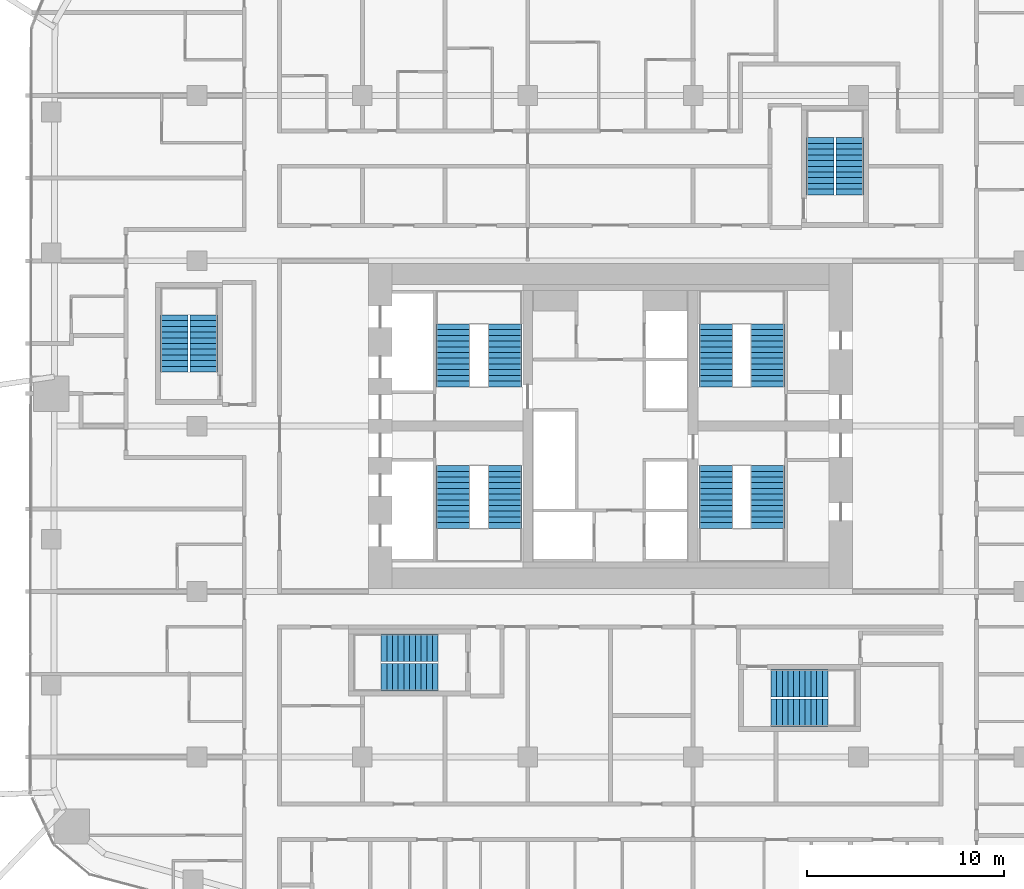
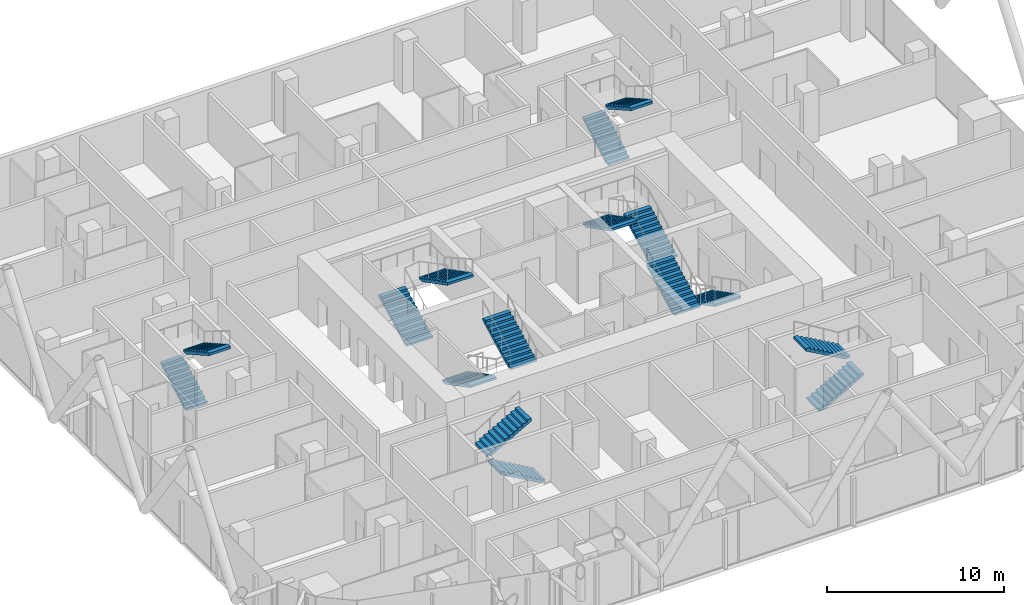
# One storey, part 36 of 38: 16 stair flights, 8 elements without a shape of their own.
"""IFC4 building model written with IfcOpenShell, lengths in metres."""

from ifc_helpers import new_model, si_unit, direction, frame, origin, place, context, subcontext, project, spatial, polyline, outline, extrude, material, type_object, element, aggregate, save


model = new_model("IFC4")

# Units and contexts
model_context = context("Model", 3, precision=1e-05, world=origin(), true_north=direction((0.0, 1.0)))
body_context = subcontext(model_context, "Body", "Model", "MODEL_VIEW")
ifc_project = project(units=[si_unit("LENGTHUNIT", "METRE"), si_unit("AREAUNIT", "SQUARE_METRE"), si_unit("VOLUMEUNIT", "CUBIC_METRE"), si_unit("PLANEANGLEUNIT", "RADIAN"), si_unit("MASSUNIT", "GRAM", prefix="KILO")], contexts=[model_context])

# Site, building, storey
site_placement = place(None, origin())
site = spatial("IfcSite", under=ifc_project, at=site_placement, CompositionType="ELEMENT")
building_placement = place(site_placement, origin())
building = spatial("IfcBuilding", under=site, at=building_placement, Name="Marenta Gate Hotel Tower", CompositionType="ELEMENT")
storey_placement = place(building_placement, frame((0.0, 0.0, 54.5)))
storey = spatial("IfcBuildingStorey", under=building, at=storey_placement, Name="L11", CompositionType="ELEMENT", Elevation=54.5)

# Stair, stair flights
ifc_material_1 = material(Name="Concrete C40", Category="concrete")
stair_type_1 = type_object("IfcStairType", Name="Core exit stair 1700 wide", PredefinedType="HALF_TURN_STAIR", material=ifc_material_1)
stair_1_placement = place(storey_placement, origin())
stair_1 = element("IfcStair", 1, at=stair_1_placement, inside=storey, type_object=stair_type_1, Name="Exit stair 1", PredefinedType="HALF_TURN_STAIR")
ifc_material_2 = material(Name="Concrete C40", Category="concrete")
stair_flight_type_1 = type_object("IfcStairFlightType", Name="Core stair flight 1700 riser 150.0 going 290", PredefinedType="STRAIGHT", material=ifc_material_2)
stair_flight_1_placement = place(storey_placement, frame((-8.0, 6.39990234375, 0.0), z_axis=(0.0, 0.0, 1.0), x_axis=(0.0, -1.0, 0.0)))
stair_flight_1 = element("IfcStairFlight", 2, at=stair_flight_1_placement, type_object=stair_flight_type_1, Name="ST1 flight 1", NumberOfRisers=12, NumberOfTreads=11, PredefinedType="STRAIGHT", RiserHeight=0.15, TreadLength=0.29, context=body_context, shape_type="SweptSolid", body=[
    extrude(outline(polyline([(0.0, 0.0), (0.0, 0.14990234375), (0.2900390625, 0.14990234375), (0.2900390625, 0.300048828125), (0.580078125, 0.300048828125), (0.580078125, 0.449951171875), (0.8701171875, 0.449951171875), (0.8701171875, 0.60009765625), (1.159912109375, 0.60009765625), (1.159912109375, 0.75), (1.449951171875, 0.75), (1.449951171875, 0.89990234375), (1.739990234375, 0.89990234375), (1.739990234375, 1.050048828125), (2.030029296875, 1.050048828125), (2.030029296875, 1.199951171875), (2.320068359375, 1.199951171875), (2.320068359375, 1.35009765625), (2.610107421875, 1.35009765625), (2.610107421875, 1.5), (2.89990234375, 1.5), (2.89990234375, 1.64990234375), (3.18994140625, 1.64990234375), (3.18994140625, 1.800048828125), (3.18994140625, 1.481201171875), (0.326171875, 0.0), (0.0, 0.0)])), frame((0.0, 0.85009765625, 0.0), z_axis=(0.0, -1.0, 0.0), x_axis=(1.0, 0.0, 0.0)), (0.0, 0.0, 1.0), 1.699951171875),
])
stair_flight_2_placement = place(storey_placement, frame((-5.35009765625, 3.2099609375, 1.800048828125), z_axis=(0.0, 0.0, 1.0), x_axis=(0.0, 1.0, 0.0)))
stair_flight_2 = element("IfcStairFlight", 3, at=stair_flight_2_placement, type_object=stair_flight_type_1, Name="ST1 flight 2", NumberOfRisers=12, NumberOfTreads=11, PredefinedType="STRAIGHT", RiserHeight=0.15, TreadLength=0.29, context=body_context, shape_type="SweptSolid", body=[
    extrude(outline(polyline([(0.0, 0.0), (0.0, 0.14990234375), (0.2900390625, 0.14990234375), (0.2900390625, 0.300048828125), (0.580078125, 0.300048828125), (0.580078125, 0.449951171875), (0.8701171875, 0.449951171875), (0.8701171875, 0.60009765625), (1.159912109375, 0.60009765625), (1.159912109375, 0.75), (1.449951171875, 0.75), (1.449951171875, 0.89990234375), (1.739990234375, 0.89990234375), (1.739990234375, 1.050048828125), (2.030029296875, 1.050048828125), (2.030029296875, 1.199951171875), (2.320068359375, 1.199951171875), (2.320068359375, 1.35009765625), (2.610107421875, 1.35009765625), (2.610107421875, 1.5), (2.89990234375, 1.5), (2.89990234375, 1.64990234375), (3.18994140625, 1.64990234375), (3.18994140625, 1.800048828125), (3.18994140625, 1.481201171875), (0.326171875, 0.0), (0.0, 0.0)])), frame((0.0, 0.85009765625, 0.0), z_axis=(0.0, -1.0, 0.0), x_axis=(1.0, 0.0, 0.0)), (0.0, 0.0, 1.0), 1.699951171875),
])
aggregate(stair_1, [stair_flight_1, stair_flight_2])

stair_2_placement = place(storey_placement, origin())
stair_2 = element("IfcStair", 4, at=stair_2_placement, inside=storey, type_object=stair_type_1, Name="Exit stair 2", PredefinedType="HALF_TURN_STAIR")
stair_flight_3_placement = place(storey_placement, frame((-8.0, 10.39990234375, 0.0), z_axis=(0.0, 0.0, 1.0), x_axis=(0.0, 1.0, 0.0)))
stair_flight_3 = element("IfcStairFlight", 5, at=stair_flight_3_placement, type_object=stair_flight_type_1, Name="ST2 flight 1", NumberOfRisers=12, NumberOfTreads=11, PredefinedType="STRAIGHT", RiserHeight=0.15, TreadLength=0.29, context=body_context, shape_type="SweptSolid", body=[
    extrude(outline(polyline([(0.0, 0.0), (0.0, 0.14990234375), (0.2900390625, 0.14990234375), (0.2900390625, 0.300048828125), (0.580078125, 0.300048828125), (0.580078125, 0.449951171875), (0.8701171875, 0.449951171875), (0.8701171875, 0.60009765625), (1.159912109375, 0.60009765625), (1.159912109375, 0.75), (1.449951171875, 0.75), (1.449951171875, 0.89990234375), (1.739990234375, 0.89990234375), (1.739990234375, 1.050048828125), (2.030029296875, 1.050048828125), (2.030029296875, 1.199951171875), (2.320068359375, 1.199951171875), (2.320068359375, 1.35009765625), (2.610107421875, 1.35009765625), (2.610107421875, 1.5), (2.89990234375, 1.5), (2.89990234375, 1.64990234375), (3.18994140625, 1.64990234375), (3.18994140625, 1.800048828125), (3.18994140625, 1.481201171875), (0.326171875, 0.0), (0.0, 0.0)])), frame((0.0, 0.85009765625, 0.0), z_axis=(0.0, -1.0, 0.0), x_axis=(1.0, 0.0, 0.0)), (0.0, 0.0, 1.0), 1.699951171875),
])
stair_flight_4_placement = place(storey_placement, frame((-5.35009765625, 13.590087890625, 1.800048828125), z_axis=(0.0, 0.0, 1.0), x_axis=(0.0, -1.0, 0.0)))
stair_flight_4 = element("IfcStairFlight", 6, at=stair_flight_4_placement, type_object=stair_flight_type_1, Name="ST2 flight 2", NumberOfRisers=12, NumberOfTreads=11, PredefinedType="STRAIGHT", RiserHeight=0.15, TreadLength=0.29, context=body_context, shape_type="SweptSolid", body=[
    extrude(outline(polyline([(0.0, 0.0), (0.0, 0.14990234375), (0.2900390625, 0.14990234375), (0.2900390625, 0.300048828125), (0.580078125, 0.300048828125), (0.580078125, 0.449951171875), (0.8701171875, 0.449951171875), (0.8701171875, 0.60009765625), (1.159912109375, 0.60009765625), (1.159912109375, 0.75), (1.449951171875, 0.75), (1.449951171875, 0.89990234375), (1.739990234375, 0.89990234375), (1.739990234375, 1.050048828125), (2.030029296875, 1.050048828125), (2.030029296875, 1.199951171875), (2.320068359375, 1.199951171875), (2.320068359375, 1.35009765625), (2.610107421875, 1.35009765625), (2.610107421875, 1.5), (2.89990234375, 1.5), (2.89990234375, 1.64990234375), (3.18994140625, 1.64990234375), (3.18994140625, 1.800048828125), (3.18994140625, 1.481201171875), (0.326171875, 0.0), (0.0, 0.0)])), frame((0.0, 0.85009765625, 0.0), z_axis=(0.0, -1.0, 0.0), x_axis=(1.0, 0.0, 0.0)), (0.0, 0.0, 1.0), 1.699951171875),
])
aggregate(stair_2, [stair_flight_3, stair_flight_4])

stair_3_placement = place(storey_placement, origin())
stair_3 = element("IfcStair", 7, at=stair_3_placement, inside=storey, type_object=stair_type_1, Name="Exit stair 3", PredefinedType="HALF_TURN_STAIR")
stair_flight_5_placement = place(storey_placement, frame((8.0, 6.39990234375, 0.0), z_axis=(0.0, 0.0, 1.0), x_axis=(0.0, -1.0, 0.0)))
stair_flight_5 = element("IfcStairFlight", 8, at=stair_flight_5_placement, type_object=stair_flight_type_1, Name="ST3 flight 1", NumberOfRisers=12, NumberOfTreads=11, PredefinedType="STRAIGHT", RiserHeight=0.15, TreadLength=0.29, context=body_context, shape_type="SweptSolid", body=[
    extrude(outline(polyline([(0.0, 0.0), (0.0, 0.14990234375), (0.2900390625, 0.14990234375), (0.2900390625, 0.300048828125), (0.580078125, 0.300048828125), (0.580078125, 0.449951171875), (0.8701171875, 0.449951171875), (0.8701171875, 0.60009765625), (1.159912109375, 0.60009765625), (1.159912109375, 0.75), (1.449951171875, 0.75), (1.449951171875, 0.89990234375), (1.739990234375, 0.89990234375), (1.739990234375, 1.050048828125), (2.030029296875, 1.050048828125), (2.030029296875, 1.199951171875), (2.320068359375, 1.199951171875), (2.320068359375, 1.35009765625), (2.610107421875, 1.35009765625), (2.610107421875, 1.5), (2.89990234375, 1.5), (2.89990234375, 1.64990234375), (3.18994140625, 1.64990234375), (3.18994140625, 1.800048828125), (3.18994140625, 1.481201171875), (0.326171875, 0.0), (0.0, 0.0)])), frame((0.0, 0.85009765625, 0.0), z_axis=(0.0, -1.0, 0.0), x_axis=(1.0, 0.0, 0.0)), (0.0, 0.0, 1.0), 1.699951171875),
])
stair_flight_6_placement = place(storey_placement, frame((5.35009765625, 3.2099609375, 1.800048828125), z_axis=(0.0, 0.0, 1.0), x_axis=(0.0, 1.0, 0.0)))
stair_flight_6 = element("IfcStairFlight", 9, at=stair_flight_6_placement, type_object=stair_flight_type_1, Name="ST3 flight 2", NumberOfRisers=12, NumberOfTreads=11, PredefinedType="STRAIGHT", RiserHeight=0.15, TreadLength=0.29, context=body_context, shape_type="SweptSolid", body=[
    extrude(outline(polyline([(0.0, 0.0), (0.0, 0.14990234375), (0.2900390625, 0.14990234375), (0.2900390625, 0.300048828125), (0.580078125, 0.300048828125), (0.580078125, 0.449951171875), (0.8701171875, 0.449951171875), (0.8701171875, 0.60009765625), (1.159912109375, 0.60009765625), (1.159912109375, 0.75), (1.449951171875, 0.75), (1.449951171875, 0.89990234375), (1.739990234375, 0.89990234375), (1.739990234375, 1.050048828125), (2.030029296875, 1.050048828125), (2.030029296875, 1.199951171875), (2.320068359375, 1.199951171875), (2.320068359375, 1.35009765625), (2.610107421875, 1.35009765625), (2.610107421875, 1.5), (2.89990234375, 1.5), (2.89990234375, 1.64990234375), (3.18994140625, 1.64990234375), (3.18994140625, 1.800048828125), (3.18994140625, 1.481201171875), (0.326171875, 0.0), (0.0, 0.0)])), frame((0.0, 0.85009765625, 0.0), z_axis=(0.0, -1.0, 0.0), x_axis=(1.0, 0.0, 0.0)), (0.0, 0.0, 1.0), 1.699951171875),
])
aggregate(stair_3, [stair_flight_5, stair_flight_6])

stair_4_placement = place(storey_placement, origin())
stair_4 = element("IfcStair", 10, at=stair_4_placement, inside=storey, type_object=stair_type_1, Name="Exit stair 4", PredefinedType="HALF_TURN_STAIR")
stair_flight_7_placement = place(storey_placement, frame((8.0, 10.39990234375, 0.0), z_axis=(0.0, 0.0, 1.0), x_axis=(0.0, 1.0, 0.0)))
stair_flight_7 = element("IfcStairFlight", 11, at=stair_flight_7_placement, type_object=stair_flight_type_1, Name="ST4 flight 1", NumberOfRisers=12, NumberOfTreads=11, PredefinedType="STRAIGHT", RiserHeight=0.15, TreadLength=0.29, context=body_context, shape_type="SweptSolid", body=[
    extrude(outline(polyline([(0.0, 0.0), (0.0, 0.14990234375), (0.2900390625, 0.14990234375), (0.2900390625, 0.300048828125), (0.580078125, 0.300048828125), (0.580078125, 0.449951171875), (0.8701171875, 0.449951171875), (0.8701171875, 0.60009765625), (1.159912109375, 0.60009765625), (1.159912109375, 0.75), (1.449951171875, 0.75), (1.449951171875, 0.89990234375), (1.739990234375, 0.89990234375), (1.739990234375, 1.050048828125), (2.030029296875, 1.050048828125), (2.030029296875, 1.199951171875), (2.320068359375, 1.199951171875), (2.320068359375, 1.35009765625), (2.610107421875, 1.35009765625), (2.610107421875, 1.5), (2.89990234375, 1.5), (2.89990234375, 1.64990234375), (3.18994140625, 1.64990234375), (3.18994140625, 1.800048828125), (3.18994140625, 1.481201171875), (0.326171875, 0.0), (0.0, 0.0)])), frame((0.0, 0.85009765625, 0.0), z_axis=(0.0, -1.0, 0.0), x_axis=(1.0, 0.0, 0.0)), (0.0, 0.0, 1.0), 1.699951171875),
])
stair_flight_8_placement = place(storey_placement, frame((5.35009765625, 13.590087890625, 1.800048828125), z_axis=(0.0, 0.0, 1.0), x_axis=(0.0, -1.0, 0.0)))
stair_flight_8 = element("IfcStairFlight", 12, at=stair_flight_8_placement, type_object=stair_flight_type_1, Name="ST4 flight 2", NumberOfRisers=12, NumberOfTreads=11, PredefinedType="STRAIGHT", RiserHeight=0.15, TreadLength=0.29, context=body_context, shape_type="SweptSolid", body=[
    extrude(outline(polyline([(0.0, 0.0), (0.0, 0.14990234375), (0.2900390625, 0.14990234375), (0.2900390625, 0.300048828125), (0.580078125, 0.300048828125), (0.580078125, 0.449951171875), (0.8701171875, 0.449951171875), (0.8701171875, 0.60009765625), (1.159912109375, 0.60009765625), (1.159912109375, 0.75), (1.449951171875, 0.75), (1.449951171875, 0.89990234375), (1.739990234375, 0.89990234375), (1.739990234375, 1.050048828125), (2.030029296875, 1.050048828125), (2.030029296875, 1.199951171875), (2.320068359375, 1.199951171875), (2.320068359375, 1.35009765625), (2.610107421875, 1.35009765625), (2.610107421875, 1.5), (2.89990234375, 1.5), (2.89990234375, 1.64990234375), (3.18994140625, 1.64990234375), (3.18994140625, 1.800048828125), (3.18994140625, 1.481201171875), (0.326171875, 0.0), (0.0, 0.0)])), frame((0.0, 0.85009765625, 0.0), z_axis=(0.0, -1.0, 0.0), x_axis=(1.0, 0.0, 0.0)), (0.0, 0.0, 1.0), 1.699951171875),
])
aggregate(stair_4, [stair_flight_7, stair_flight_8])

ifc_material_3 = material(Name="Concrete C40", Category="concrete")
stair_type_2 = type_object("IfcStairType", Name="Remote exit stair 1400 wide", PredefinedType="HALF_TURN_STAIR", material=ifc_material_3)
stair_5_placement = place(storey_placement, origin())
stair_5 = element("IfcStair", 13, at=stair_5_placement, inside=storey, type_object=stair_type_2, Name="Exit stair RS-Z1-1", PredefinedType="HALF_TURN_STAIR")
ifc_material_4 = material(Name="Concrete C40", Category="concrete")
stair_flight_type_2 = type_object("IfcStairFlightType", Name="Remote stair flight 1400 riser 163.6 going 290", PredefinedType="STRAIGHT", material=ifc_material_4)
stair_flight_9_placement = place(storey_placement, frame((8.14990234375, -6.14990234375, 0.0), z_axis=(0.0, 0.0, 1.0), x_axis=(1.0, 0.0, 0.0)))
stair_flight_9 = element("IfcStairFlight", 14, at=stair_flight_9_placement, type_object=stair_flight_type_2, Name="RS-Z1-1 flight 1", NumberOfRisers=11, NumberOfTreads=10, PredefinedType="STRAIGHT", RiserHeight=0.163636, TreadLength=0.29, context=body_context, shape_type="SweptSolid", body=[
    extrude(outline(polyline([(0.0, 0.0), (0.0, 0.16357421875), (0.2900390625, 0.16357421875), (0.2900390625, 0.327392578125), (0.580078125, 0.327392578125), (0.580078125, 0.490966796875), (0.8701171875, 0.490966796875), (0.8701171875, 0.654541015625), (1.159912109375, 0.654541015625), (1.159912109375, 0.818115234375), (1.449951171875, 0.818115234375), (1.449951171875, 0.98193359375), (1.739990234375, 0.98193359375), (1.739990234375, 1.1455078125), (2.030029296875, 1.1455078125), (2.030029296875, 1.30908203125), (2.320068359375, 1.30908203125), (2.320068359375, 1.47265625), (2.610107421875, 1.47265625), (2.610107421875, 1.636474609375), (2.89990234375, 1.636474609375), (2.89990234375, 1.800048828125), (2.89990234375, 1.46435546875), (0.304931640625, 0.0), (0.0, 0.0)])), frame((0.0, 0.699951171875, 0.0), z_axis=(0.0, -1.0, 0.0), x_axis=(1.0, 0.0, 0.0)), (0.0, 0.0, 1.0), 1.39990234375),
])
stair_flight_10_placement = place(storey_placement, frame((11.050048828125, -4.64990234375, 1.800048828125), z_axis=(0.0, 0.0, 1.0), x_axis=(-1.0, 0.0, 0.0)))
stair_flight_10 = element("IfcStairFlight", 15, at=stair_flight_10_placement, type_object=stair_flight_type_2, Name="RS-Z1-1 flight 2", NumberOfRisers=11, NumberOfTreads=10, PredefinedType="STRAIGHT", RiserHeight=0.163636, TreadLength=0.29, context=body_context, shape_type="SweptSolid", body=[
    extrude(outline(polyline([(0.0, 0.0), (0.0, 0.16357421875), (0.2900390625, 0.16357421875), (0.2900390625, 0.327392578125), (0.580078125, 0.327392578125), (0.580078125, 0.490966796875), (0.8701171875, 0.490966796875), (0.8701171875, 0.654541015625), (1.159912109375, 0.654541015625), (1.159912109375, 0.818115234375), (1.449951171875, 0.818115234375), (1.449951171875, 0.98193359375), (1.739990234375, 0.98193359375), (1.739990234375, 1.1455078125), (2.030029296875, 1.1455078125), (2.030029296875, 1.30908203125), (2.320068359375, 1.30908203125), (2.320068359375, 1.47265625), (2.610107421875, 1.47265625), (2.610107421875, 1.636474609375), (2.89990234375, 1.636474609375), (2.89990234375, 1.800048828125), (2.89990234375, 1.46435546875), (0.304931640625, 0.0), (0.0, 0.0)])), frame((0.0, 0.699951171875, 0.0), z_axis=(0.0, -1.0, 0.0), x_axis=(1.0, 0.0, 0.0)), (0.0, 0.0, 1.0), 1.39990234375),
])
aggregate(stair_5, [stair_flight_9, stair_flight_10])

stair_6_placement = place(storey_placement, origin())
stair_6 = element("IfcStair", 16, at=stair_6_placement, inside=storey, type_object=stair_type_2, Name="Exit stair RS-Z1-2", PredefinedType="HALF_TURN_STAIR")
stair_flight_11_placement = place(storey_placement, frame((-8.75, -4.35009765625, 0.0), z_axis=(0.0, 0.0, 1.0), x_axis=(-1.0, 0.0, 0.0)))
stair_flight_11 = element("IfcStairFlight", 17, at=stair_flight_11_placement, type_object=stair_flight_type_2, Name="RS-Z1-2 flight 1", NumberOfRisers=11, NumberOfTreads=10, PredefinedType="STRAIGHT", RiserHeight=0.163636, TreadLength=0.29, context=body_context, shape_type="SweptSolid", body=[
    extrude(outline(polyline([(0.0, 0.0), (0.0, 0.16357421875), (0.2900390625, 0.16357421875), (0.2900390625, 0.327392578125), (0.580078125, 0.327392578125), (0.580078125, 0.490966796875), (0.8701171875, 0.490966796875), (0.8701171875, 0.654541015625), (1.159912109375, 0.654541015625), (1.159912109375, 0.818115234375), (1.449951171875, 0.818115234375), (1.449951171875, 0.98193359375), (1.739990234375, 0.98193359375), (1.739990234375, 1.1455078125), (2.030029296875, 1.1455078125), (2.030029296875, 1.30908203125), (2.320068359375, 1.30908203125), (2.320068359375, 1.47265625), (2.610107421875, 1.47265625), (2.610107421875, 1.636474609375), (2.89990234375, 1.636474609375), (2.89990234375, 1.800048828125), (2.89990234375, 1.46435546875), (0.304931640625, 0.0), (0.0, 0.0)])), frame((0.0, 0.699951171875, 0.0), z_axis=(0.0, -1.0, 0.0), x_axis=(1.0, 0.0, 0.0)), (0.0, 0.0, 1.0), 1.39990234375),
])
stair_flight_12_placement = place(storey_placement, frame((-11.64990234375, -2.85009765625, 1.800048828125), z_axis=(0.0, 0.0, 1.0), x_axis=(1.0, 0.0, 0.0)))
stair_flight_12 = element("IfcStairFlight", 18, at=stair_flight_12_placement, type_object=stair_flight_type_2, Name="RS-Z1-2 flight 2", NumberOfRisers=11, NumberOfTreads=10, PredefinedType="STRAIGHT", RiserHeight=0.163636, TreadLength=0.29, context=body_context, shape_type="SweptSolid", body=[
    extrude(outline(polyline([(0.0, 0.0), (0.0, 0.16357421875), (0.2900390625, 0.16357421875), (0.2900390625, 0.327392578125), (0.580078125, 0.327392578125), (0.580078125, 0.490966796875), (0.8701171875, 0.490966796875), (0.8701171875, 0.654541015625), (1.159912109375, 0.654541015625), (1.159912109375, 0.818115234375), (1.449951171875, 0.818115234375), (1.449951171875, 0.98193359375), (1.739990234375, 0.98193359375), (1.739990234375, 1.1455078125), (2.030029296875, 1.1455078125), (2.030029296875, 1.30908203125), (2.320068359375, 1.30908203125), (2.320068359375, 1.47265625), (2.610107421875, 1.47265625), (2.610107421875, 1.636474609375), (2.89990234375, 1.636474609375), (2.89990234375, 1.800048828125), (2.89990234375, 1.46435546875), (0.304931640625, 0.0), (0.0, 0.0)])), frame((0.0, 0.699951171875, 0.0), z_axis=(0.0, -1.0, 0.0), x_axis=(1.0, 0.0, 0.0)), (0.0, 0.0, 1.0), 1.39990234375),
])
aggregate(stair_6, [stair_flight_11, stair_flight_12])

stair_7_placement = place(storey_placement, origin())
stair_7 = element("IfcStair", 19, at=stair_7_placement, inside=storey, type_object=stair_type_2, Name="Exit stair RS-Z1-3", PredefinedType="HALF_TURN_STAIR")
stair_flight_13_placement = place(storey_placement, frame((-22.14990234375, 11.14990234375, 0.0), z_axis=(0.0, 0.0, 1.0), x_axis=(0.0, 1.0, 0.0)))
stair_flight_13 = element("IfcStairFlight", 20, at=stair_flight_13_placement, type_object=stair_flight_type_2, Name="RS-Z1-3 flight 1", NumberOfRisers=11, NumberOfTreads=10, PredefinedType="STRAIGHT", RiserHeight=0.163636, TreadLength=0.29, context=body_context, shape_type="SweptSolid", body=[
    extrude(outline(polyline([(0.0, 0.0), (0.0, 0.16357421875), (0.2900390625, 0.16357421875), (0.2900390625, 0.327392578125), (0.580078125, 0.327392578125), (0.580078125, 0.490966796875), (0.8701171875, 0.490966796875), (0.8701171875, 0.654541015625), (1.159912109375, 0.654541015625), (1.159912109375, 0.818115234375), (1.449951171875, 0.818115234375), (1.449951171875, 0.98193359375), (1.739990234375, 0.98193359375), (1.739990234375, 1.1455078125), (2.030029296875, 1.1455078125), (2.030029296875, 1.30908203125), (2.320068359375, 1.30908203125), (2.320068359375, 1.47265625), (2.610107421875, 1.47265625), (2.610107421875, 1.636474609375), (2.89990234375, 1.636474609375), (2.89990234375, 1.800048828125), (2.89990234375, 1.46435546875), (0.304931640625, 0.0), (0.0, 0.0)])), frame((0.0, 0.699951171875, 0.0), z_axis=(0.0, -1.0, 0.0), x_axis=(1.0, 0.0, 0.0)), (0.0, 0.0, 1.0), 1.39990234375),
])
stair_flight_14_placement = place(storey_placement, frame((-20.64990234375, 14.050048828125, 1.800048828125), z_axis=(0.0, 0.0, 1.0), x_axis=(0.0, -1.0, 0.0)))
stair_flight_14 = element("IfcStairFlight", 21, at=stair_flight_14_placement, type_object=stair_flight_type_2, Name="RS-Z1-3 flight 2", NumberOfRisers=11, NumberOfTreads=10, PredefinedType="STRAIGHT", RiserHeight=0.163636, TreadLength=0.29, context=body_context, shape_type="SweptSolid", body=[
    extrude(outline(polyline([(0.0, 0.0), (0.0, 0.16357421875), (0.2900390625, 0.16357421875), (0.2900390625, 0.327392578125), (0.580078125, 0.327392578125), (0.580078125, 0.490966796875), (0.8701171875, 0.490966796875), (0.8701171875, 0.654541015625), (1.159912109375, 0.654541015625), (1.159912109375, 0.818115234375), (1.449951171875, 0.818115234375), (1.449951171875, 0.98193359375), (1.739990234375, 0.98193359375), (1.739990234375, 1.1455078125), (2.030029296875, 1.1455078125), (2.030029296875, 1.30908203125), (2.320068359375, 1.30908203125), (2.320068359375, 1.47265625), (2.610107421875, 1.47265625), (2.610107421875, 1.636474609375), (2.89990234375, 1.636474609375), (2.89990234375, 1.800048828125), (2.89990234375, 1.46435546875), (0.304931640625, 0.0), (0.0, 0.0)])), frame((0.0, 0.699951171875, 0.0), z_axis=(0.0, -1.0, 0.0), x_axis=(1.0, 0.0, 0.0)), (0.0, 0.0, 1.0), 1.39990234375),
])
aggregate(stair_7, [stair_flight_13, stair_flight_14])

stair_8_placement = place(storey_placement, origin())
stair_8 = element("IfcStair", 22, at=stair_8_placement, inside=storey, type_object=stair_type_2, Name="Exit stair RS-Z1-4", PredefinedType="HALF_TURN_STAIR")
stair_flight_15_placement = place(storey_placement, frame((10.64990234375, 20.14990234375, 0.0), z_axis=(0.0, 0.0, 1.0), x_axis=(0.0, 1.0, 0.0)))
stair_flight_15 = element("IfcStairFlight", 23, at=stair_flight_15_placement, type_object=stair_flight_type_2, Name="RS-Z1-4 flight 1", NumberOfRisers=11, NumberOfTreads=10, PredefinedType="STRAIGHT", RiserHeight=0.163636, TreadLength=0.29, context=body_context, shape_type="SweptSolid", body=[
    extrude(outline(polyline([(0.0, 0.0), (0.0, 0.16357421875), (0.2900390625, 0.16357421875), (0.2900390625, 0.327392578125), (0.580078125, 0.327392578125), (0.580078125, 0.490966796875), (0.8701171875, 0.490966796875), (0.8701171875, 0.654541015625), (1.159912109375, 0.654541015625), (1.159912109375, 0.818115234375), (1.449951171875, 0.818115234375), (1.449951171875, 0.98193359375), (1.739990234375, 0.98193359375), (1.739990234375, 1.1455078125), (2.030029296875, 1.1455078125), (2.030029296875, 1.30908203125), (2.320068359375, 1.30908203125), (2.320068359375, 1.47265625), (2.610107421875, 1.47265625), (2.610107421875, 1.636474609375), (2.89990234375, 1.636474609375), (2.89990234375, 1.800048828125), (2.89990234375, 1.46435546875), (0.304931640625, 0.0), (0.0, 0.0)])), frame((0.0, 0.699951171875, 0.0), z_axis=(0.0, -1.0, 0.0), x_axis=(1.0, 0.0, 0.0)), (0.0, 0.0, 1.0), 1.39990234375),
])
stair_flight_16_placement = place(storey_placement, frame((12.14990234375, 23.050048828125, 1.800048828125), z_axis=(0.0, 0.0, 1.0), x_axis=(0.0, -1.0, 0.0)))
stair_flight_16 = element("IfcStairFlight", 24, at=stair_flight_16_placement, type_object=stair_flight_type_2, Name="RS-Z1-4 flight 2", NumberOfRisers=11, NumberOfTreads=10, PredefinedType="STRAIGHT", RiserHeight=0.163636, TreadLength=0.29, context=body_context, shape_type="SweptSolid", body=[
    extrude(outline(polyline([(0.0, 0.0), (0.0, 0.16357421875), (0.2900390625, 0.16357421875), (0.2900390625, 0.327392578125), (0.580078125, 0.327392578125), (0.580078125, 0.490966796875), (0.8701171875, 0.490966796875), (0.8701171875, 0.654541015625), (1.159912109375, 0.654541015625), (1.159912109375, 0.818115234375), (1.449951171875, 0.818115234375), (1.449951171875, 0.98193359375), (1.739990234375, 0.98193359375), (1.739990234375, 1.1455078125), (2.030029296875, 1.1455078125), (2.030029296875, 1.30908203125), (2.320068359375, 1.30908203125), (2.320068359375, 1.47265625), (2.610107421875, 1.47265625), (2.610107421875, 1.636474609375), (2.89990234375, 1.636474609375), (2.89990234375, 1.800048828125), (2.89990234375, 1.46435546875), (0.304931640625, 0.0), (0.0, 0.0)])), frame((0.0, 0.699951171875, 0.0), z_axis=(0.0, -1.0, 0.0), x_axis=(1.0, 0.0, 0.0)), (0.0, 0.0, 1.0), 1.39990234375),
])
aggregate(stair_8, [stair_flight_15, stair_flight_16])

save(model, "model.ifc")
